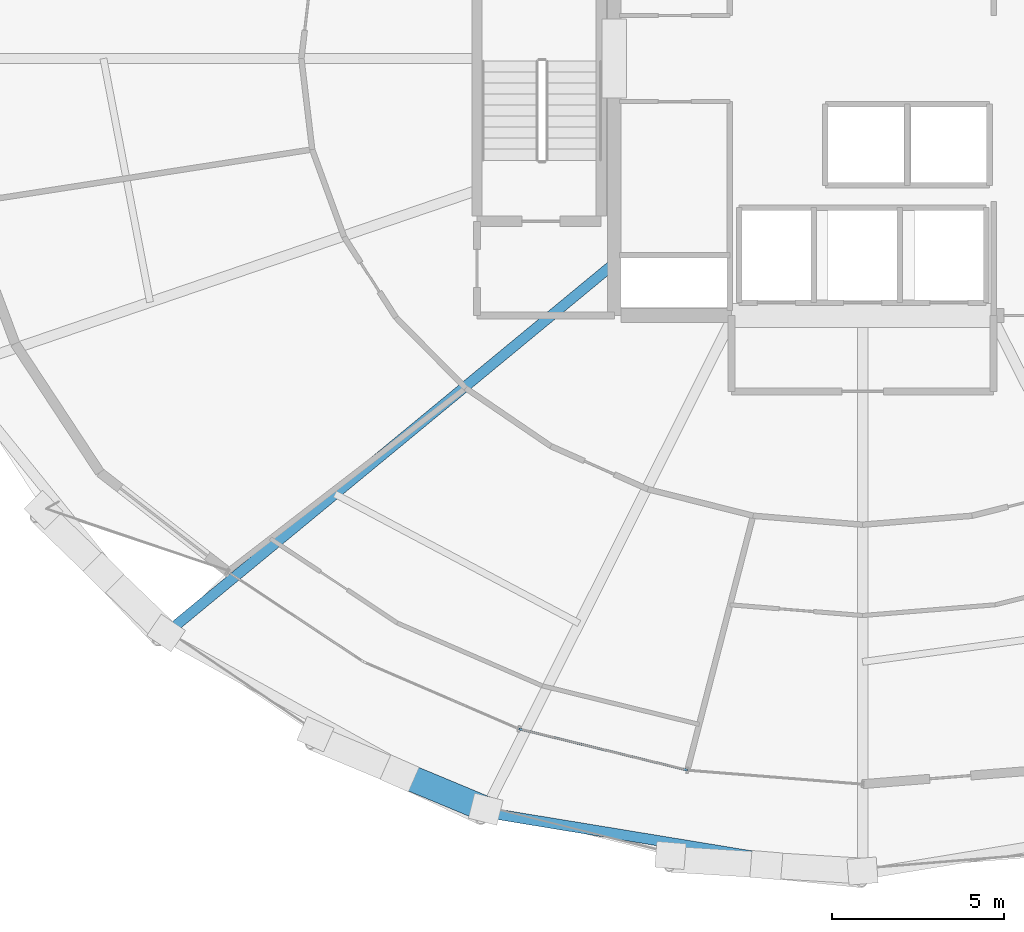
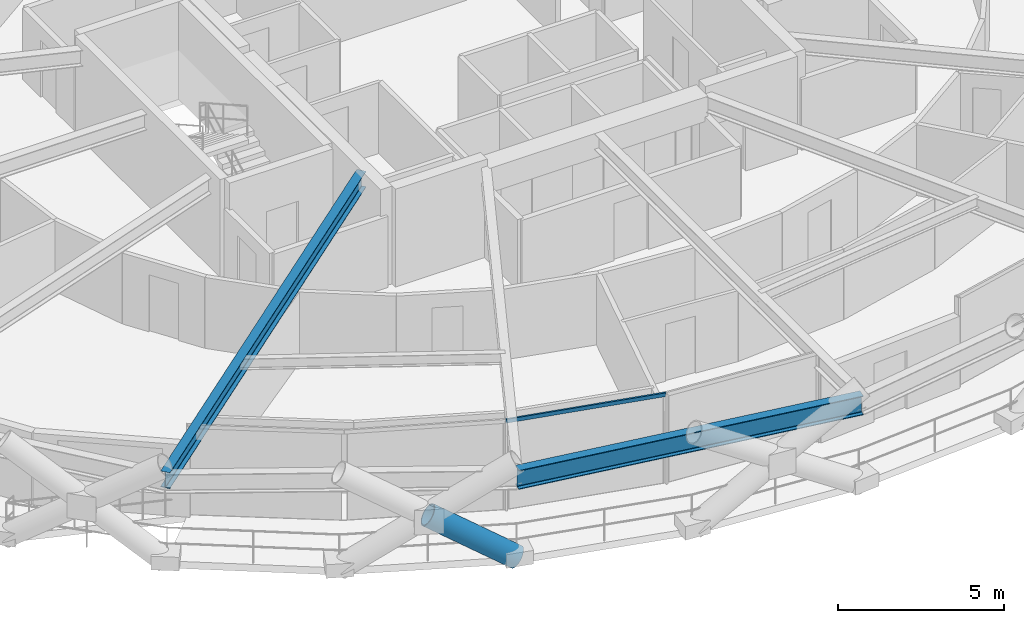
# One storey, part 3 of 17: 2 beams, 2 members, 1 element without a shape of its own.
"""IFC4 building model written with IfcOpenShell, lengths in metres."""

from ifc_helpers import new_model, si_unit, direction, frame, origin, origin_2d, place, context, subcontext, project, spatial, hollow_rectangle, hollow_circle, i_section, extrude, material, layer, layer_set, material_profile, profile_set, type_object, element, aggregate, save


model = new_model("IFC4")

# Units and contexts
model_context = context("Model", 3, precision=1e-05, world=origin(), true_north=direction((0.0, 1.0)))
body_context = subcontext(model_context, "Body", "Model", "MODEL_VIEW")
ifc_project = project(units=[si_unit("LENGTHUNIT", "METRE"), si_unit("AREAUNIT", "SQUARE_METRE"), si_unit("VOLUMEUNIT", "CUBIC_METRE"), si_unit("PLANEANGLEUNIT", "RADIAN"), si_unit("MASSUNIT", "GRAM", prefix="KILO")], contexts=[model_context])

# Site, building, storey
site_placement = place(None, origin())
site = spatial("IfcSite", under=ifc_project, at=site_placement, CompositionType="ELEMENT")
building_placement = place(site_placement, origin())
building = spatial("IfcBuilding", under=site, at=building_placement, Name="Veldorina Hangang Commons", CompositionType="ELEMENT")
storey_placement = place(building_placement, frame((0.0, 0.0, 55.60009765625)))
storey = spatial("IfcBuildingStorey", under=building, at=storey_placement, Name="L13", CompositionType="ELEMENT", Elevation=55.60009765625)

# Beams
ifc_material_1 = material(Name="Steel SM460-TMC", Category="steel")
ifc_material_profile_1 = material_profile(ifc_material_1, i_section(OverallWidth=0.300048828125, OverallDepth=0.587890625, WebThickness=0.011962890625, FlangeThickness=0.02001953125, FilletRadius=0.01806640625, at=origin_2d()), Name="H-588x300x12x20")
ifc_profile_set_1 = profile_set([ifc_material_profile_1], Name="Steel SM460-TMC")
beam_type_1 = type_object("IfcBeamType", Name="BM-FG588", PredefinedType="BEAM", material=ifc_profile_set_1)
beam_1_placement = place(storey_placement, frame((24.800048828125, 18.056396484375, 3.0458984375), z_axis=(-0.771186965795, -0.636608721105, 0.0), x_axis=(0.636608721105, -0.771186965795, 0.0)))
element("IfcBeam", 1, at=beam_1_placement, inside=storey, type_object=beam_type_1, Name="L13 radial floor girder 11", PredefinedType="BEAM", context=body_context, shape_type="SweptSolid", body=[
    extrude(i_section(OverallWidth=0.300048828125, OverallDepth=0.587890625, WebThickness=0.011962890625, FlangeThickness=0.02001953125, FilletRadius=0.01806640625, at=origin_2d()), origin(), (0.0, 0.0, 1.0), 16.9365234375),
])
ifc_material_profile_2 = material_profile(ifc_material_1, i_section(OverallWidth=0.300048828125, OverallDepth=0.699951171875, WebThickness=0.012939453125, FlangeThickness=0.02392578125, FilletRadius=0.02197265625, at=origin_2d()), Name="H-700x300x13x24")
ifc_profile_set_2 = profile_set([ifc_material_profile_2], Name="Steel SM460-TMC")
beam_type_2 = type_object("IfcBeamType", Name="BM-RB700", PredefinedType="BEAM", material=ifc_profile_set_2)
beam_2_placement = place(storey_placement, frame((21.03466796875, 2.146728515625, 2.989990234375), z_axis=(0.986785369313, -0.162032820472, 0.0), x_axis=(0.162032820472, 0.986785369313, 0.0)))
element("IfcBeam", 2, at=beam_2_placement, inside=storey, type_object=beam_type_2, Name="L13 perimeter hoop ring beam 22", PredefinedType="BEAM", context=body_context, shape_type="SweptSolid", body=[
    extrude(i_section(OverallWidth=0.300048828125, OverallDepth=0.699951171875, WebThickness=0.012939453125, FlangeThickness=0.02392578125, FilletRadius=0.02197265625, at=origin_2d()), origin(), (0.0, 0.0, 1.0), 11.112060546875),
])

# Curtain wall, member
ifc_material_2 = material(Name="Glass Low-E Triple IGU", Category="glass")
ifc_layer = layer(ifc_material_2, 0.179931640625)
ifc_layer_set = layer_set([ifc_layer], Name="Glass Low-E Triple IGU")
curtain_wall_type = type_object("IfcCurtainWallType", Name="CW-SYS-Z1", PredefinedType="NOTDEFINED", material=ifc_layer_set)
curtain_wall_placement = place(storey_placement, origin())
curtain_wall = element("IfcCurtainWall", 3, at=curtain_wall_placement, inside=storey, type_object=curtain_wall_type, Name="L13 unitised curtain wall CW-L13-R1", PredefinedType="NOTDEFINED")
ifc_material_3 = material(Name="Aluminium Anodized AA6063-T6", Category="aluminium")
ifc_material_profile_3 = material_profile(ifc_material_3, hollow_rectangle(XDim=0.06005859375, YDim=0.139892578125, WallThickness=0.00341796875, at=origin_2d()), Name="ALU-RHS-140x60x3.5")
ifc_profile_set_3 = profile_set([ifc_material_profile_3], Name="Aluminium Anodized AA6063-T6")
member_type_1 = type_object("IfcMemberType", Name="CW-TRN-140", PredefinedType="USERDEFINED", material=ifc_profile_set_3)
member_1_placement = place(storey_placement, frame((22.03466796875, 4.560791015625, 3.260009765625), z_axis=(0.971254266977, -0.238044426271, 0.0), x_axis=(0.238044426271, 0.971254266977, 0.0)))
member_1 = element("IfcMember", 4, at=member_1_placement, type_object=member_type_1, Name="CW-L13-R1 facet 3 transom 1", ObjectType="TRANSOM", PredefinedType="USERDEFINED", context=body_context, shape_type="SweptSolid", body=[
    extrude(hollow_rectangle(XDim=0.06005859375, YDim=0.139892578125, WallThickness=0.00341796875, at=origin_2d()), origin(), (0.0, 0.0, 1.0), 5.029541015625),
])
aggregate(curtain_wall, [member_1])

# Member
ifc_material_profile_4 = material_profile(ifc_material_1, hollow_circle(Radius=0.375, WallThickness=0.035888671875, at=origin_2d()), Name="CHS-750x36")
ifc_profile_set_4 = profile_set([ifc_material_profile_4], Name="Steel SM460-TMC")
member_type_2 = type_object("IfcMemberType", Name="DG-CHS750", PredefinedType="BRACE", material=ifc_profile_set_4)
member_2_placement = place(storey_placement, frame((21.0703125, 2.23291015625, 0.0), z_axis=(-0.768860260775, 0.320151577131, 0.553495137343), x_axis=(-0.38440373611, -0.92316508148, 0.0)))
element("IfcMember", 5, at=member_2_placement, inside=storey, type_object=member_type_2, Name="L13 split perimeter diagrid lower brace 22", PredefinedType="BRACE", context=body_context, shape_type="SweptSolid", body=[
    extrude(hollow_circle(Radius=0.375, WallThickness=0.035888671875, at=origin_2d()), origin(), (0.0, 0.0, 1.0), 3.24560546875),
])

save(model, "model.ifc")
